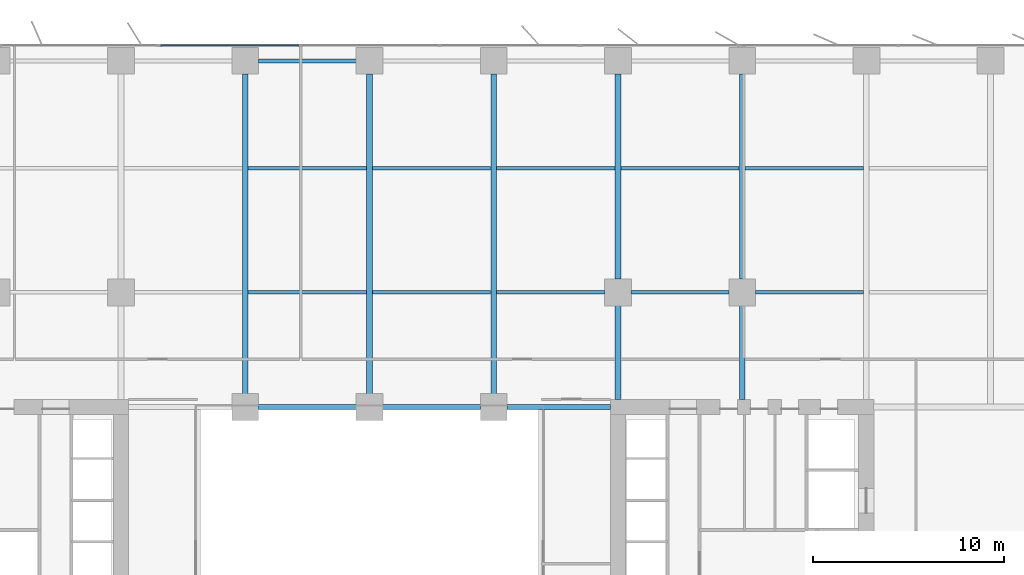
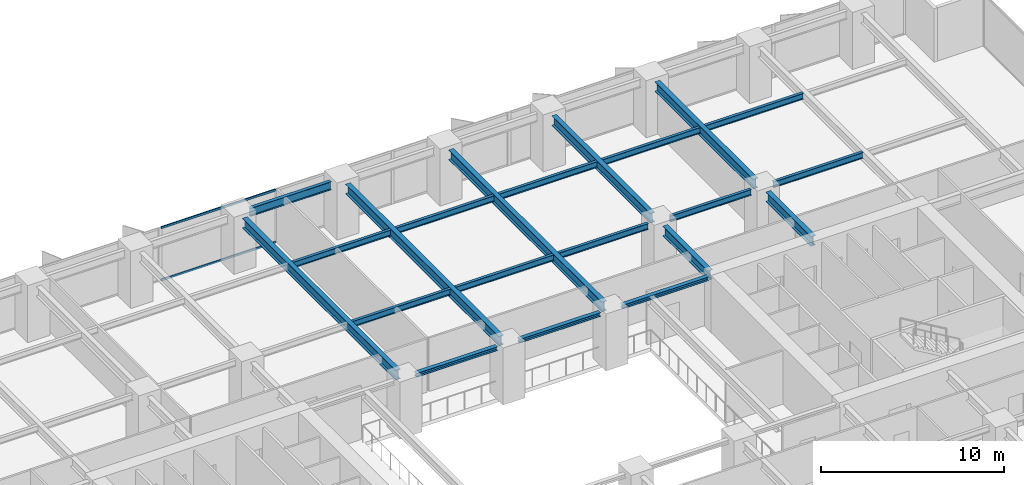
# One storey, part 8 of 21: 21 beams, 2 members, 1 element without a shape of its own.
"""IFC4 building model written with IfcOpenShell, lengths in metres."""

from ifc_helpers import new_model, si_unit, direction, frame, origin, origin_2d, place, context, subcontext, project, spatial, rectangle, i_section, extrude, material, layer, layer_set, material_profile, profile_set, type_object, element, aggregate, save


model = new_model("IFC4")

# Units and contexts
model_context = context("Model", 3, precision=1e-05, world=origin(), true_north=direction((0.0, 1.0)))
body_context = subcontext(model_context, "Body", "Model", "MODEL_VIEW")
ifc_project = project(units=[si_unit("LENGTHUNIT", "METRE"), si_unit("AREAUNIT", "SQUARE_METRE"), si_unit("VOLUMEUNIT", "CUBIC_METRE"), si_unit("PLANEANGLEUNIT", "RADIAN"), si_unit("MASSUNIT", "GRAM", prefix="KILO")], contexts=[model_context])

# Site, building, storey
site_placement = place(None, origin())
site = spatial("IfcSite", under=ifc_project, at=site_placement, CompositionType="ELEMENT")
building_placement = place(site_placement, origin())
building = spatial("IfcBuilding", under=site, at=building_placement, Name="Putna Gate Headquarters", CompositionType="ELEMENT")
storey_placement = place(building_placement, frame((0.0, 0.0, 39.199951171875)))
storey = spatial("IfcBuildingStorey", under=building, at=storey_placement, Name="L08", CompositionType="ELEMENT", Elevation=39.199951171875)

# Beams
ifc_material_1 = material(Name="Steel S355J2", Category="steel")
ifc_material_profile_1 = material_profile(ifc_material_1, i_section(OverallWidth=0.260009765625, OverallDepth=0.260009765625, WebThickness=0.010009765625, FlangeThickness=0.017578125, at=origin_2d()), Name="Steel S355J2")
ifc_profile_set_1 = profile_set([ifc_material_profile_1], Name="Steel S355J2")
beam_type_1 = type_object("IfcBeamType", Name="BM-ATRIUM-HEB260", PredefinedType="BEAM", material=ifc_profile_set_1)
for number, where, z_axis, x_axis, name in (
    (1, (33.18798828125, 33.0, 3.420166015625), (1.0, 0.0, 0.0), (0.0, 1.0, 0.0), "L08 Atrium Edge Beam AN2"),
    (2, (39.68798828125, 33.0, 3.420166015625), (1.0, 0.0, 0.0), (0.0, 1.0, 0.0), "L08 Atrium Edge Beam AN3"),
):
    element("IfcBeam", number, at=place(storey_placement, frame(where, z_axis=z_axis, x_axis=x_axis)), inside=storey, type_object=beam_type_1, Name=name, PredefinedType="BEAM", context=body_context, shape_type="SweptSolid", body=[
        extrude(i_section(OverallWidth=0.260009765625, OverallDepth=0.260009765625, WebThickness=0.010009765625, FlangeThickness=0.017578125, at=origin_2d()), origin(), (0.0, 0.0, 1.0), 5.1240234375),
    ])
beam_1_placement = place(storey_placement, frame((46.18798828125, 33.0, 3.420166015625), z_axis=(1.0, 0.0, 0.0), x_axis=(0.0, 1.0, 0.0)))
element("IfcBeam", 3, at=beam_1_placement, inside=storey, type_object=beam_type_1, Name="L08 Atrium Edge Beam AN4", PredefinedType="BEAM", context=body_context, shape_type="SweptSolid", body=[
    extrude(i_section(OverallWidth=0.260009765625, OverallDepth=0.260009765625, WebThickness=0.010009765625, FlangeThickness=0.017578125, at=origin_2d()), origin(), (0.0, 0.0, 1.0), 5.427001953125),
])
ifc_material_profile_2 = material_profile(ifc_material_1, i_section(OverallWidth=0.300048828125, OverallDepth=0.64990234375, WebThickness=0.01611328125, FlangeThickness=0.031005859375, at=origin_2d()), Name="Steel S355J2")
ifc_profile_set_2 = profile_set([ifc_material_profile_2], Name="Steel S355J2")
beam_type_2 = type_object("IfcBeamType", Name="BM-GIRD-Z1-HEB650", PredefinedType="USERDEFINED", material=ifc_profile_set_2)
for number, where, z_axis, x_axis, name in (
    (4, (32.5, 33.68798828125, 3.22509765625), (0.0, 1.0, 0.0), (-1.0, 0.0, 0.0), "L08 North Primary Girder X32"),
    (5, (39.0, 33.68798828125, 3.22509765625), (0.0, 1.0, 0.0), (-1.0, 0.0, 0.0), "L08 North Primary Girder X39"),
    (6, (45.5, 33.68798828125, 3.22509765625), (0.0, 1.0, 0.0), (-1.0, 0.0, 0.0), "L08 North Primary Girder X45"),
):
    element("IfcBeam", number, at=place(storey_placement, frame(where, z_axis=z_axis, x_axis=x_axis)), inside=storey, type_object=beam_type_2, Name=name, ObjectType="GIRDER", PredefinedType="USERDEFINED", context=body_context, shape_type="SweptSolid", body=[
        extrude(i_section(OverallWidth=0.300048828125, OverallDepth=0.64990234375, WebThickness=0.01611328125, FlangeThickness=0.031005859375, at=origin_2d()), origin(), (0.0, 0.0, 1.0), 16.743896484375),
    ])
beam_2_placement = place(storey_placement, frame((52.0, 33.385009765625, 3.22509765625), z_axis=(0.0, 1.0, 0.0), x_axis=(-1.0, 0.0, 0.0)))
element("IfcBeam", 7, at=beam_2_placement, inside=storey, type_object=beam_type_2, Name="L08 North Primary Girder X52-1", ObjectType="GIRDER", PredefinedType="USERDEFINED", context=body_context, shape_type="SweptSolid", body=[
    extrude(i_section(OverallWidth=0.300048828125, OverallDepth=0.64990234375, WebThickness=0.01611328125, FlangeThickness=0.031005859375, at=origin_2d()), origin(), (0.0, 0.0, 1.0), 4.927001953125),
])
beam_3_placement = place(storey_placement, frame((52.0, 39.68798828125, 3.22509765625), z_axis=(0.0, 1.0, 0.0), x_axis=(-1.0, 0.0, 0.0)))
element("IfcBeam", 8, at=beam_3_placement, inside=storey, type_object=beam_type_2, Name="L08 North Primary Girder X52-2", ObjectType="GIRDER", PredefinedType="USERDEFINED", context=body_context, shape_type="SweptSolid", body=[
    extrude(i_section(OverallWidth=0.300048828125, OverallDepth=0.64990234375, WebThickness=0.01611328125, FlangeThickness=0.031005859375, at=origin_2d()), origin(), (0.0, 0.0, 1.0), 10.743896484375),
])
beam_4_placement = place(storey_placement, frame((58.5, 33.385009765625, 3.22509765625), z_axis=(0.0, 1.0, 0.0), x_axis=(-1.0, 0.0, 0.0)))
element("IfcBeam", 9, at=beam_4_placement, inside=storey, type_object=beam_type_2, Name="L08 North Primary Girder X58-1", ObjectType="GIRDER", PredefinedType="USERDEFINED", context=body_context, shape_type="SweptSolid", body=[
    extrude(i_section(OverallWidth=0.300048828125, OverallDepth=0.64990234375, WebThickness=0.01611328125, FlangeThickness=0.031005859375, at=origin_2d()), origin(), (0.0, 0.0, 1.0), 4.927001953125),
])
beam_5_placement = place(storey_placement, frame((58.5, 39.68798828125, 3.22509765625), z_axis=(0.0, 1.0, 0.0), x_axis=(-1.0, 0.0, 0.0)))
element("IfcBeam", 10, at=beam_5_placement, inside=storey, type_object=beam_type_2, Name="L08 North Primary Girder X58-2", ObjectType="GIRDER", PredefinedType="USERDEFINED", context=body_context, shape_type="SweptSolid", body=[
    extrude(i_section(OverallWidth=0.300048828125, OverallDepth=0.64990234375, WebThickness=0.01611328125, FlangeThickness=0.031005859375, at=origin_2d()), origin(), (0.0, 0.0, 1.0), 10.743896484375),
])
ifc_material_profile_3 = material_profile(ifc_material_1, i_section(OverallWidth=0.179931640625, OverallDepth=0.39990234375, WebThickness=0.008544921875, FlangeThickness=0.013427734375, at=origin_2d()), Name="Steel S355J2")
ifc_profile_set_3 = profile_set([ifc_material_profile_3], Name="Steel S355J2")
beam_type_3 = type_object("IfcBeamType", Name="BM-SEC-Z1-IPE400", PredefinedType="BEAM", material=ifc_profile_set_3)
for number, where, z_axis, x_axis, name in (
    (11, (32.654052734375, 39.0, 3.35009765625), (1.0, 0.0, 0.0), (0.0, 1.0, 0.0), "L08 North Secondary Beam 5"),
    (12, (32.654052734375, 45.5, 3.35009765625), (1.0, 0.0, 0.0), (0.0, 1.0, 0.0), "L08 North Secondary Beam 5"),
    (13, (39.154052734375, 39.0, 3.35009765625), (1.0, 0.0, 0.0), (0.0, 1.0, 0.0), "L08 North Secondary Beam 6"),
    (14, (39.154052734375, 45.5, 3.35009765625), (1.0, 0.0, 0.0), (0.0, 1.0, 0.0), "L08 North Secondary Beam 6"),
):
    element("IfcBeam", number, at=place(storey_placement, frame(where, z_axis=z_axis, x_axis=x_axis)), inside=storey, type_object=beam_type_3, Name=name, PredefinedType="BEAM", context=body_context, shape_type="SweptSolid", body=[
        extrude(i_section(OverallWidth=0.179931640625, OverallDepth=0.39990234375, WebThickness=0.008544921875, FlangeThickness=0.013427734375, at=origin_2d()), origin(), (0.0, 0.0, 1.0), 6.19189453125),
    ])
beam_6_placement = place(storey_placement, frame((45.654052734375, 39.0, 3.35009765625), z_axis=(1.0, 0.0, 0.0), x_axis=(0.0, 1.0, 0.0)))
element("IfcBeam", 15, at=beam_6_placement, inside=storey, type_object=beam_type_3, Name="L08 North Secondary Beam 7", PredefinedType="BEAM", context=body_context, shape_type="SweptSolid", body=[
    extrude(i_section(OverallWidth=0.179931640625, OverallDepth=0.39990234375, WebThickness=0.008544921875, FlangeThickness=0.013427734375, at=origin_2d()), origin(), (0.0, 0.0, 1.0), 5.657958984375),
])
beam_7_placement = place(storey_placement, frame((45.654052734375, 45.5, 3.35009765625), z_axis=(1.0, 0.0, 0.0), x_axis=(0.0, 1.0, 0.0)))
element("IfcBeam", 16, at=beam_7_placement, inside=storey, type_object=beam_type_3, Name="L08 North Secondary Beam 7", PredefinedType="BEAM", context=body_context, shape_type="SweptSolid", body=[
    extrude(i_section(OverallWidth=0.179931640625, OverallDepth=0.39990234375, WebThickness=0.008544921875, FlangeThickness=0.013427734375, at=origin_2d()), origin(), (0.0, 0.0, 1.0), 6.19189453125),
])
beam_8_placement = place(storey_placement, frame((52.68798828125, 39.0, 3.35009765625), z_axis=(1.0, 0.0, 0.0), x_axis=(0.0, 1.0, 0.0)))
element("IfcBeam", 17, at=beam_8_placement, inside=storey, type_object=beam_type_3, Name="L08 North Secondary Beam 8", PredefinedType="BEAM", context=body_context, shape_type="SweptSolid", body=[
    extrude(i_section(OverallWidth=0.179931640625, OverallDepth=0.39990234375, WebThickness=0.008544921875, FlangeThickness=0.013427734375, at=origin_2d()), origin(), (0.0, 0.0, 1.0), 5.1240234375),
])
beam_9_placement = place(storey_placement, frame((52.154052734375, 45.5, 3.35009765625), z_axis=(1.0, 0.0, 0.0), x_axis=(0.0, 1.0, 0.0)))
element("IfcBeam", 18, at=beam_9_placement, inside=storey, type_object=beam_type_3, Name="L08 North Secondary Beam 8", PredefinedType="BEAM", context=body_context, shape_type="SweptSolid", body=[
    extrude(i_section(OverallWidth=0.179931640625, OverallDepth=0.39990234375, WebThickness=0.008544921875, FlangeThickness=0.013427734375, at=origin_2d()), origin(), (0.0, 0.0, 1.0), 6.19189453125),
])
beam_10_placement = place(storey_placement, frame((59.18798828125, 39.0, 3.35009765625), z_axis=(1.0, 0.0, 0.0), x_axis=(0.0, 1.0, 0.0)))
element("IfcBeam", 19, at=beam_10_placement, inside=storey, type_object=beam_type_3, Name="L08 North Secondary Beam 9", PredefinedType="BEAM", context=body_context, shape_type="SweptSolid", body=[
    extrude(i_section(OverallWidth=0.179931640625, OverallDepth=0.39990234375, WebThickness=0.008544921875, FlangeThickness=0.013427734375, at=origin_2d()), origin(), (0.0, 0.0, 1.0), 5.657958984375),
])
beam_11_placement = place(storey_placement, frame((58.654052734375, 45.5, 3.35009765625), z_axis=(1.0, 0.0, 0.0), x_axis=(0.0, 1.0, 0.0)))
element("IfcBeam", 20, at=beam_11_placement, inside=storey, type_object=beam_type_3, Name="L08 North Secondary Beam 9", PredefinedType="BEAM", context=body_context, shape_type="SweptSolid", body=[
    extrude(i_section(OverallWidth=0.179931640625, OverallDepth=0.39990234375, WebThickness=0.008544921875, FlangeThickness=0.013427734375, at=origin_2d()), origin(), (0.0, 0.0, 1.0), 6.19189453125),
])
ifc_material_profile_4 = material_profile(ifc_material_1, i_section(OverallWidth=0.2099609375, OverallDepth=0.550048828125, WebThickness=0.010986328125, FlangeThickness=0.01708984375, at=origin_2d()), Name="Steel S355J2")
ifc_profile_set_4 = profile_set([ifc_material_profile_4], Name="Steel S355J2")
beam_type_4 = type_object("IfcBeamType", Name="BM-SPAN-Z1-IPE550", PredefinedType="SPANDREL", material=ifc_profile_set_4)
beam_12_placement = place(storey_placement, frame((33.18798828125, 51.1201171875, 3.275146484375), z_axis=(1.0, 0.0, 0.0), x_axis=(0.0, 1.0, 0.0)))
element("IfcBeam", 21, at=beam_12_placement, inside=storey, type_object=beam_type_4, Name="L08 N Perimeter Spandrel 5", PredefinedType="SPANDREL", context=body_context, shape_type="SweptSolid", body=[
    extrude(i_section(OverallWidth=0.2099609375, OverallDepth=0.550048828125, WebThickness=0.010986328125, FlangeThickness=0.01708984375, at=origin_2d()), origin(), (0.0, 0.0, 1.0), 5.1240234375),
])

# Curtain wall, members
ifc_material_2 = material(Name="Anodised bronze aluminium curtain wall", Category="aluminium")
ifc_layer = layer(ifc_material_2, 0.179931640625)
ifc_layer_set = layer_set([ifc_layer], Name="Anodised bronze aluminium curtain wall")
curtain_wall_type = type_object("IfcCurtainWallType", Name="CW-SYS-ATR", PredefinedType="USERDEFINED", material=ifc_layer_set)
curtain_wall_placement = place(storey_placement, origin())
curtain_wall = element("IfcCurtainWall", 22, at=curtain_wall_placement, inside=storey, type_object=curtain_wall_type, Name="L08 North Atrium Clear Glazing", ObjectType="ATRIUM GLAZING", PredefinedType="USERDEFINED")
ifc_material_3 = material(Name="Anodised bronze aluminium EN AW-6060", Category="aluminium")
ifc_material_profile_5 = material_profile(ifc_material_3, rectangle(XDim=0.070068359375, YDim=0.139892578125, at=origin_2d()), Name="Anodised bronze aluminium EN AW-6060")
ifc_profile_set_5 = profile_set([ifc_material_profile_5], Name="Anodised bronze aluminium EN AW-6060")
member_type = type_object("IfcMemberType", Name="TRAN-CWT-AT", PredefinedType="USERDEFINED", material=ifc_profile_set_5)
member_1_placement = place(storey_placement, frame((28.070068359375, 51.919921875, 0.03515625), z_axis=(1.0, 0.0, 0.0), x_axis=(0.0, 1.0, 0.0)))
member_1 = element("IfcMember", 23, at=member_1_placement, type_object=member_type, Name="CWS-AT transom 1.1", ObjectType="TRANSOM", PredefinedType="USERDEFINED", context=body_context, shape_type="SweptSolid", body=[
    extrude(rectangle(XDim=0.070068359375, YDim=0.139892578125, at=origin_2d()), origin(), (0.0, 0.0, 1.0), 7.228271484375),
])
member_2_placement = place(storey_placement, frame((28.070068359375, 51.919921875, 3.51513671875), z_axis=(1.0, 0.0, 0.0), x_axis=(0.0, 1.0, 0.0)))
member_2 = element("IfcMember", 24, at=member_2_placement, type_object=member_type, Name="CWS-AT transom 1.2", ObjectType="TRANSOM", PredefinedType="USERDEFINED", context=body_context, shape_type="SweptSolid", body=[
    extrude(rectangle(XDim=0.070068359375, YDim=0.139892578125, at=origin_2d()), origin(), (0.0, 0.0, 1.0), 7.228271484375),
])
aggregate(curtain_wall, [member_1, member_2])

save(model, "model.ifc")
